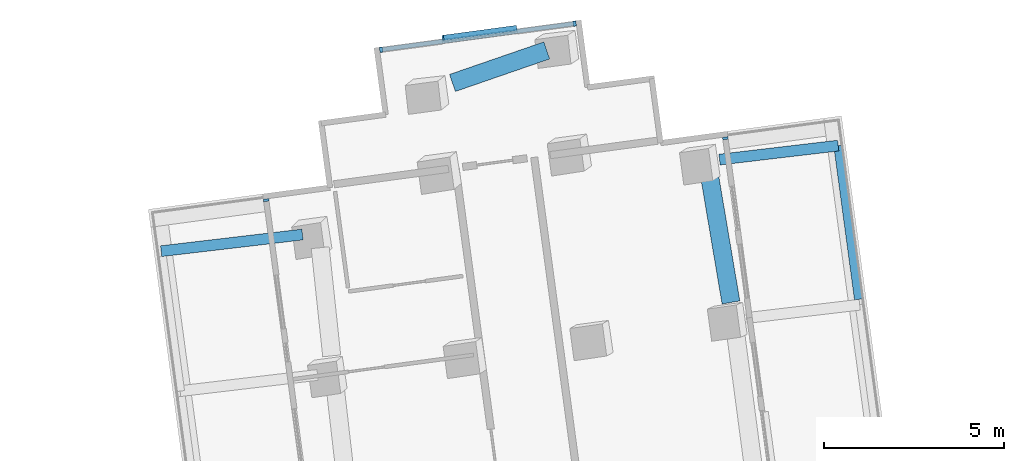
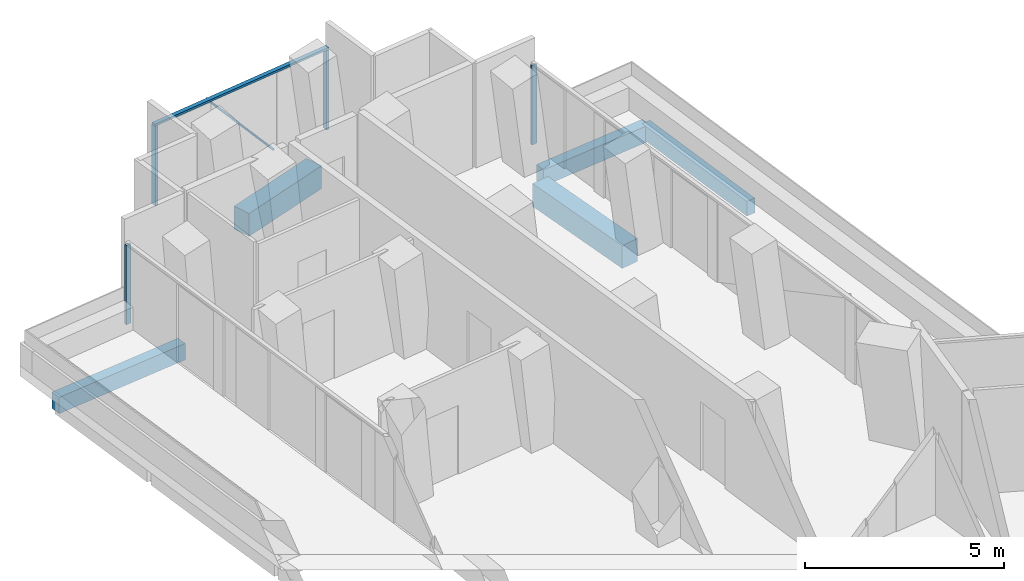
# One storey, part 12 of 27: 6 members, 5 beams, 3 elements without a shape of their own.
"""IFC4 building model written with IfcOpenShell, lengths in metres."""

from ifc_helpers import new_model, si_unit, direction, frame, origin, origin_2d, place, context, subcontext, project, spatial, rectangle, extrude, material, layer, layer_set, material_profile, profile_set, type_object, element, aggregate, save


model = new_model("IFC4")

# Units and contexts
model_context = context("Model", 3, precision=1e-05, world=origin(), true_north=direction((0.0, 1.0)))
body_context = subcontext(model_context, "Body", "Model", "MODEL_VIEW")
ifc_project = project(units=[si_unit("LENGTHUNIT", "METRE"), si_unit("AREAUNIT", "SQUARE_METRE"), si_unit("VOLUMEUNIT", "CUBIC_METRE"), si_unit("PLANEANGLEUNIT", "RADIAN"), si_unit("MASSUNIT", "GRAM", prefix="KILO")], contexts=[model_context])

# Site, building, storey
site_placement = place(None, origin())
site = spatial("IfcSite", under=ifc_project, at=site_placement, CompositionType="ELEMENT")
building_placement = place(site_placement, origin())
building = spatial("IfcBuilding", under=site, at=building_placement, Name="Verdalira Terraces Hotel", CompositionType="ELEMENT")
storey_placement = place(building_placement, frame((0.0, 0.0, 64.5)))
storey = spatial("IfcBuildingStorey", under=building, at=storey_placement, Name="L14", CompositionType="ELEMENT", Elevation=64.5)

# Beams
ifc_material_1 = material(Name="Concrete C40", Category="concrete")
ifc_material_profile_1 = material_profile(ifc_material_1, rectangle(XDim=0.300049, YDim=0.5, at=origin_2d()), Name="RC 300X500")
ifc_profile_set_1 = profile_set([ifc_material_profile_1], Name="Concrete C40")
beam_type_1 = type_object("IfcBeamType", Name="Balcony cantilever beam RC 300X500 C40", PredefinedType="BEAM", material=ifc_profile_set_1)
beam_1_placement = place(storey_placement, frame((0.900635, 39.60498, -0.560059), z_axis=(0.993129979, 0.117016427, 0.0), x_axis=(-0.117016427, 0.993129979, 0.0)))
element("IfcBeam", 1, at=beam_1_placement, inside=storey, type_object=beam_type_1, Name="Balcony cantilever beam R00-4", PredefinedType="BEAM", context=body_context, shape_type="SweptSolid", body=[
    extrude(rectangle(XDim=0.300049, YDim=0.5, at=origin_2d()), origin(), (0.0, 0.0, 1.0), 3.315186),
])
beam_2_placement = place(storey_placement, frame((-10.665771, 37.526611, -0.560059), z_axis=(-0.993130739, -0.117009983, 0.0), x_axis=(0.117009983, -0.993130739, 0.0)))
element("IfcBeam", 2, at=beam_2_placement, inside=storey, type_object=beam_type_1, Name="Balcony cantilever beam R10-1", PredefinedType="BEAM", context=body_context, shape_type="SweptSolid", body=[
    extrude(rectangle(XDim=0.300049, YDim=0.5, at=origin_2d()), origin(), (0.0, 0.0, 1.0), 3.945557),
])
ifc_material_2 = material(Name="Concrete C40", Category="concrete")
ifc_material_profile_2 = material_profile(ifc_material_2, rectangle(XDim=0.25, YDim=0.449951, at=origin_2d()), Name="RC 250X450")
ifc_profile_set_2 = profile_set([ifc_material_profile_2], Name="Concrete C40")
beam_type_2 = type_object("IfcBeamType", Name="Balcony edge beam RC 250X450 C40", PredefinedType="BEAM", material=ifc_profile_set_2)
beam_3_placement = place(storey_placement, frame((4.768066, 35.729004, -0.534912), z_axis=(-0.133631729, 0.99103106, 0.0), x_axis=(-0.99103106, -0.133631729, 0.0)))
element("IfcBeam", 3, at=beam_3_placement, inside=storey, type_object=beam_type_2, Name="Balcony edge beam R00-3", PredefinedType="BEAM", context=body_context, shape_type="SweptSolid", body=[
    extrude(rectangle(XDim=0.25, YDim=0.449951, at=origin_2d()), origin(), (0.0, 0.0, 1.0), 4.30249),
])

# Curtain wall, member
ifc_material_3 = material(Name="Clear glass", Category="glass")
ifc_layer_1 = layer(ifc_material_3, 0.14990234375)
ifc_layer_set_1 = layer_set([ifc_layer_1], Name="CW2 curtain wall")
curtain_wall_type_1 = type_object("IfcCurtainWallType", Name="CW2 curtain wall", PredefinedType="NOTDEFINED", material=ifc_layer_set_1)
curtain_wall_1_placement = place(storey_placement, origin())
curtain_wall_1 = element("IfcCurtainWall", 4, at=curtain_wall_1_placement, inside=storey, type_object=curtain_wall_type_1, Name="CW2 curtain wall L14 edge 0", PredefinedType="NOTDEFINED")
ifc_material_4 = material(Name="Terracotta frame", Category="masonry")
ifc_material_profile_3 = material_profile(ifc_material_4, rectangle(XDim=0.070068, YDim=0.149902, at=origin_2d()), Name="MU 70x150")
ifc_profile_set_3 = profile_set([ifc_material_profile_3], Name="Terracotta frame")
member_type_1 = type_object("IfcMemberType", Name="CW2 mullion 70x150", PredefinedType="MULLION", material=ifc_profile_set_3)
member_1_placement = place(storey_placement, frame((1.0625, 40.196777, 0.0), z_axis=(0.0, 0.0, 1.0), x_axis=(-0.133640259, 0.991029909, 0.0)))
member_1 = element("IfcMember", 5, at=member_1_placement, type_object=member_type_1, Name="CW2 mullion", PredefinedType="MULLION", context=body_context, shape_type="SweptSolid", body=[
    extrude(rectangle(XDim=0.070068, YDim=0.149902, at=origin_2d()), origin(), (0.0, 0.0, 1.0), 2.425049),
])
aggregate(curtain_wall_1, [member_1])

curtain_wall_2_placement = place(storey_placement, origin())
curtain_wall_2 = element("IfcCurtainWall", 6, at=curtain_wall_2_placement, inside=storey, type_object=curtain_wall_type_1, Name="CW2 curtain wall L14 edge 10", PredefinedType="NOTDEFINED")
member_2_placement = place(storey_placement, frame((-11.672119, 38.479492, 0.0), z_axis=(0.0, 0.0, 1.0), x_axis=(0.133640259, -0.991029909, 0.0)))
member_2 = element("IfcMember", 7, at=member_2_placement, type_object=member_type_1, Name="CW2 mullion", PredefinedType="MULLION", context=body_context, shape_type="SweptSolid", body=[
    extrude(rectangle(XDim=0.070068, YDim=0.149902, at=origin_2d()), origin(), (0.0, 0.0, 1.0), 2.425049),
])
aggregate(curtain_wall_2, [member_2])

# Curtain wall, members
ifc_material_5 = material(Name="Clear glass", Category="glass")
ifc_layer_2 = layer(ifc_material_5, 0.14990234375)
ifc_layer_set_2 = layer_set([ifc_layer_2], Name="CW3 curtain wall")
curtain_wall_type_2 = type_object("IfcCurtainWallType", Name="CW3 curtain wall", PredefinedType="NOTDEFINED", material=ifc_layer_set_2)
curtain_wall_3_placement = place(storey_placement, origin())
curtain_wall_3 = element("IfcCurtainWall", 8, at=curtain_wall_3_placement, inside=storey, type_object=curtain_wall_type_2, Name="CW3 curtain wall L14 edge 5", PredefinedType="NOTDEFINED")
ifc_material_6 = material(Name="Terracotta frame", Category="masonry")
ifc_material_profile_4 = material_profile(ifc_material_6, rectangle(XDim=0.080078, YDim=0.149902, at=origin_2d()), Name="MU 80x150")
ifc_profile_set_4 = profile_set([ifc_material_profile_4], Name="Terracotta frame")
member_type_2 = type_object("IfcMemberType", Name="CW3 mullion 80x150", PredefinedType="MULLION", material=ifc_profile_set_4)
member_3_placement = place(storey_placement, frame((-3.11499, 43.377197, 0.0), z_axis=(0.0, 0.0, 1.0), x_axis=(-0.991029909, -0.133640259, 0.0)))
member_3 = element("IfcMember", 9, at=member_3_placement, type_object=member_type_2, Name="CW3 mullion", PredefinedType="MULLION", context=body_context, shape_type="SweptSolid", body=[
    extrude(rectangle(XDim=0.080078, YDim=0.149902, at=origin_2d()), origin(), (0.0, 0.0, 1.0), 2.425049),
])
member_4_placement = place(storey_placement, frame((-8.486328, 42.652832, 0.0), z_axis=(0.0, 0.0, 1.0), x_axis=(-0.991029909, -0.133640259, 0.0)))
member_4 = element("IfcMember", 10, at=member_4_placement, type_object=member_type_2, Name="CW3 mullion", PredefinedType="MULLION", context=body_context, shape_type="SweptSolid", body=[
    extrude(rectangle(XDim=0.080078, YDim=0.149902, at=origin_2d()), origin(), (0.0, 0.0, 1.0), 2.425049),
])
ifc_material_7 = material(Name="Terracotta frame", Category="masonry")
ifc_material_profile_5 = material_profile(ifc_material_7, rectangle(XDim=0.120117, YDim=0.064941, at=origin_2d()), Name="TR 65x120")
ifc_profile_set_5 = profile_set([ifc_material_profile_5], Name="Terracotta frame")
member_type_3 = type_object("IfcMemberType", Name="CW3 transom 65x120", PredefinedType="USERDEFINED", material=ifc_profile_set_5)
member_5_placement = place(storey_placement, frame((-3.075195, 43.382568, 2.45752), z_axis=(-0.9910279, -0.133655156, 0.0), x_axis=(0.133655156, -0.9910279, 0.0)))
member_5 = element("IfcMember", 11, at=member_5_placement, type_object=member_type_3, Name="CW3 transom", ObjectType="TRANSOM", PredefinedType="USERDEFINED", context=body_context, shape_type="SweptSolid", body=[
    extrude(rectangle(XDim=0.120117, YDim=0.064941, at=origin_2d()), origin(), (0.0, 0.0, 1.0), 5.5),
])
ifc_material_8 = material(Name="Terracotta frame", Category="masonry")
ifc_material_profile_6 = material_profile(ifc_material_8, rectangle(XDim=0.149902, YDim=0.060059, at=origin_2d()), Name="GB 60x150")
ifc_profile_set_6 = profile_set([ifc_material_profile_6], Name="Terracotta frame")
member_type_4 = type_object("IfcMemberType", Name="Diagonal glazing bar 60x150", PredefinedType="USERDEFINED", material=ifc_profile_set_6)
member_6_placement = place(storey_placement, frame((-4.745117, 43.251221, 0.027832), z_axis=(-0.64724501, -0.087313703, 0.757264957), x_axis=(0.133689575, -0.991023258, 0.0)))
member_6 = element("IfcMember", 12, at=member_6_placement, type_object=member_type_4, Name="Diagonal glazing bar", ObjectType="GLAZING BAR", PredefinedType="USERDEFINED", context=body_context, shape_type="SweptSolid", body=[
    extrude(rectangle(XDim=0.149902, YDim=0.060059, at=origin_2d()), origin(), (0.0, 0.0, 1.0), 3.128906),
])
aggregate(curtain_wall_3, [member_3, member_4, member_5, member_6])

# Beams
ifc_material_9 = material(Name="Concrete C70", Category="concrete")
ifc_material_profile_7 = material_profile(ifc_material_9, rectangle(XDim=0.5, YDim=0.699951, at=origin_2d()), Name="RC 500X700")
ifc_profile_set_7 = profile_set([ifc_material_profile_7], Name="Concrete C70")
beam_type_3 = type_object("IfcBeamType", Name="Spandrel beam RC 500X700 C70", PredefinedType="SPANDREL", material=ifc_profile_set_7)
beam_4_placement = place(storey_placement, frame((1.217773, 35.642578, -0.659912), z_axis=(-0.166654385, 0.986015373, 0.0), x_axis=(-0.986015373, -0.166654385, 0.0)))
element("IfcBeam", 13, at=beam_4_placement, inside=storey, type_object=beam_type_3, Name="Spandrel beam B03", PredefinedType="SPANDREL", context=body_context, shape_type="SweptSolid", body=[
    extrude(rectangle(XDim=0.5, YDim=0.699951, at=origin_2d()), origin(), (0.0, 0.0, 1.0), 3.527588),
])
beam_5_placement = place(storey_placement, frame((-3.891113, 42.632812, -0.659912), z_axis=(-0.945340152, -0.326085872, 0.0), x_axis=(0.326085872, -0.945340152, 0.0)))
element("IfcBeam", 14, at=beam_5_placement, inside=storey, type_object=beam_type_3, Name="Spandrel beam B04", PredefinedType="SPANDREL", context=body_context, shape_type="SweptSolid", body=[
    extrude(rectangle(XDim=0.5, YDim=0.699951, at=origin_2d()), origin(), (0.0, 0.0, 1.0), 2.766357),
])

save(model, "model.ifc")
